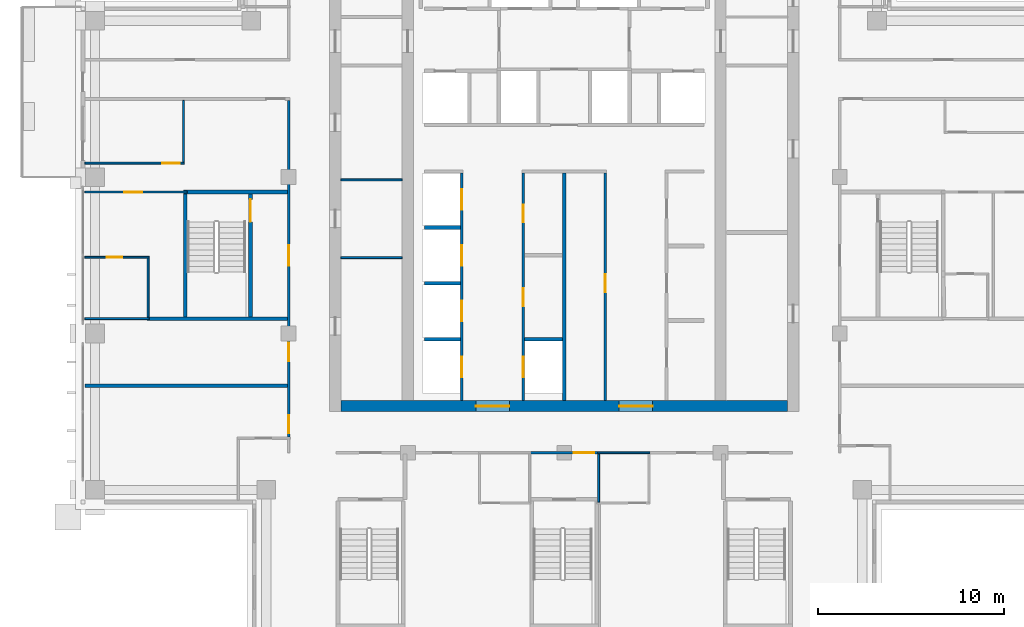
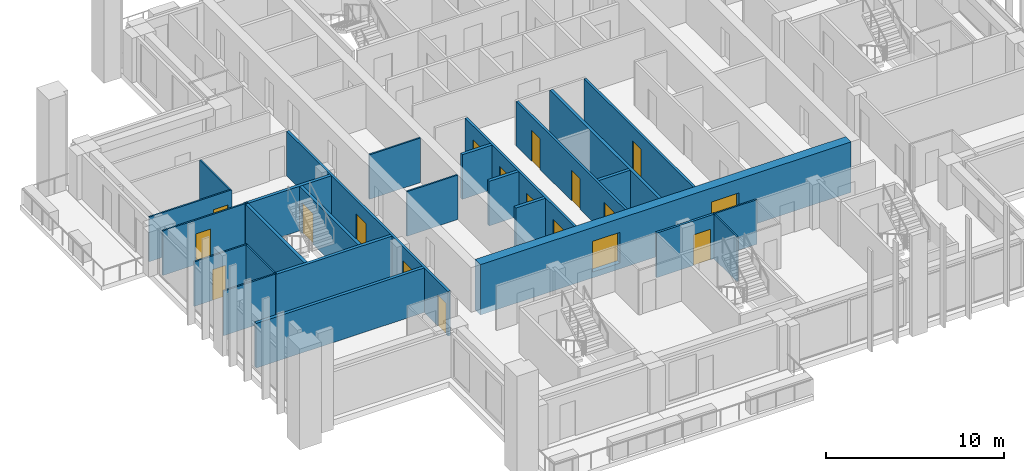
# One storey, part 7 of 16: 26 walls, 18 doors, 18 openings.
"""IFC4 building model written with IfcOpenShell, lengths in metres."""

from ifc_helpers import new_model, si_unit, direction, frame, frame_2d, origin, place, context, subcontext, project, spatial, rectangle, extrude, material, layer, layer_set, type_object, element, fill, save


model = new_model("IFC4")

# Units and contexts
model_context = context("Model", 3, precision=1e-05, world=origin(), true_north=direction((0.0, 1.0)))
body_context = subcontext(model_context, "Body", "Model", "MODEL_VIEW")
ifc_project = project(units=[si_unit("LENGTHUNIT", "METRE"), si_unit("AREAUNIT", "SQUARE_METRE"), si_unit("VOLUMEUNIT", "CUBIC_METRE"), si_unit("PLANEANGLEUNIT", "RADIAN"), si_unit("MASSUNIT", "GRAM", prefix="KILO")], contexts=[model_context])

# Site, building, storey
site_placement = place(None, origin())
site = spatial("IfcSite", under=ifc_project, at=site_placement, CompositionType="ELEMENT")
building_placement = place(site_placement, origin())
building = spatial("IfcBuilding", under=site, at=building_placement, Name="Vermilion Ogive Tower", CompositionType="ELEMENT")
storey_placement = place(building_placement, frame((0.0, 0.0, 206.60009765625)))
storey = spatial("IfcBuildingStorey", under=building, at=storey_placement, Name="L54", CompositionType="ELEMENT", Elevation=206.60009765625)

# Wall, openings, doors
ifc_material_1 = material(Name="Concrete B60", Category="concrete")
ifc_layer_1 = layer(ifc_material_1, 0.60009765625)
ifc_layer_set_1 = layer_set([ifc_layer_1], Name="Core wall 600 B60")
wall_type_1 = type_object("IfcWallType", Name="Core wall 600 B60", PredefinedType="SHEAR", material=ifc_layer_set_1)
wall_1_placement = place(storey_placement, frame((-12.0, -8.10009765625, -0.400146484375), z_axis=(0.0, 0.0, 1.0), x_axis=(1.0, 0.0, 0.0)))
wall_1 = element("IfcWall", 1, at=wall_1_placement, inside=storey, type_object=wall_type_1, Name="L54-CORE-S", PredefinedType="SHEAR", context=body_context, shape_type="SweptSolid", body=[
    extrude(rectangle(XDim=24.0, YDim=0.60009765625, at=frame_2d((12.0, 0.0))), origin(), (0.0, 0.0, 1.0), 3.449951171875),
])
opening_1_placement = place(wall_1_placement, frame((7.25, 0.0, 0.39990234375)))
opening_1 = element("IfcOpeningElement", 2, at=opening_1_placement, cuts=wall_1, Name="Opening DAH043", PredefinedType="OPENING", context=body_context, shape_type="SweptSolid", body=[
    extrude(rectangle(XDim=1.800048828125, YDim=2.10009765625, at=frame_2d((0.89990234375, 1.050048828125))), frame((0.0, 0.31005859375, 0.0), z_axis=(0.0, -1.0, 0.0), x_axis=(1.0, 0.0, 0.0)), (0.0, 0.0, 1.0), 0.6201171875),
])
opening_2_placement = place(wall_1_placement, frame((14.949951171875, 0.0, 0.39990234375)))
opening_2 = element("IfcOpeningElement", 3, at=opening_2_placement, cuts=wall_1, Name="Opening DAH044", PredefinedType="OPENING", context=body_context, shape_type="SweptSolid", body=[
    extrude(rectangle(XDim=1.800048828125, YDim=2.10009765625, at=frame_2d((0.89990234375, 1.050048828125))), frame((0.0, 0.31005859375, 0.0), z_axis=(0.0, -1.0, 0.0), x_axis=(1.0, 0.0, 0.0)), (0.0, 0.0, 1.0), 0.6201171875),
])
ifc_material_2 = material(Name="Timber door leaf", Category="wood")
door_type_1 = type_object("IfcDoorType", Name="Core entry door 1800 x 2100 FD60S", OperationType="DOUBLE_DOOR_SINGLE_SWING", PredefinedType="DOOR", material=ifc_material_2)
door_1_placement = place(opening_1_placement, origin())
door_1 = element("IfcDoor", 4, at=door_1_placement, inside=storey, type_object=door_type_1, Name="L54-CK-XD1", OperationType="SINGLE_SWING_LEFT", OverallHeight=2.10009765625, OverallWidth=1.800048828125, PredefinedType="DOOR", context=body_context, shape_type="SweptSolid", body=[
    extrude(rectangle(XDim=1.800048828125, YDim=2.10009765625, at=frame_2d((0.89990234375, 1.050048828125))), frame((0.0, 0.02490234375, 0.0), z_axis=(0.0, -1.0, 0.0), x_axis=(1.0, 0.0, 0.0)), (0.0, 0.0, 1.0), 0.050048828125),
])
fill(opening_1, door_1)
door_2_placement = place(opening_2_placement, origin())
door_2 = element("IfcDoor", 5, at=door_2_placement, inside=storey, type_object=door_type_1, Name="L54-CK-XD2", OperationType="SINGLE_SWING_LEFT", OverallHeight=2.10009765625, OverallWidth=1.800048828125, PredefinedType="DOOR", context=body_context, shape_type="SweptSolid", body=[
    extrude(rectangle(XDim=1.800048828125, YDim=2.10009765625, at=frame_2d((0.89990234375, 1.050048828125))), frame((0.0, 0.02490234375, 0.0), z_axis=(0.0, -1.0, 0.0), x_axis=(1.0, 0.0, 0.0)), (0.0, 0.0, 1.0), 0.050048828125),
])
fill(opening_2, door_2)

# Walls
ifc_material_3 = material(Name="Gypsum board partition on steel studs", Category="steel")
ifc_layer_2 = layer(ifc_material_3, 0.10009765625)
ifc_layer_set_2 = layer_set([ifc_layer_2], Name="Partition 100 bath")
wall_type_2 = type_object("IfcWallType", Name="Partition 100 bath", PredefinedType="PARTITIONING", material=ifc_layer_set_2)
wall_2_placement = place(storey_placement, frame((1.800048828125, -10.60009765625, 0.0), z_axis=(0.0, 0.0, 1.0), x_axis=(1.0, 0.0, 0.0)))
element("IfcWall", 6, at=wall_2_placement, inside=storey, type_object=wall_type_2, Name="L54-W-W010", PredefinedType="PARTITIONING", context=body_context, shape_type="SweptSolid", body=[
    extrude(rectangle(XDim=2.800048828125, YDim=0.10009765625, at=frame_2d((1.39990234375, 0.0))), origin(), (0.0, 0.0, 1.0), 3.0498046875),
])
wall_3_placement = place(storey_placement, frame((-25.75, -3.39990234375, 0.0), z_axis=(0.0, 0.0, 1.0), x_axis=(1.0, 0.0, 0.0)))
element("IfcWall", 7, at=wall_3_placement, inside=storey, type_object=wall_type_2, Name="L54-W-W016", PredefinedType="PARTITIONING", context=body_context, shape_type="SweptSolid", body=[
    extrude(rectangle(XDim=3.449951171875, YDim=0.10009765625, at=frame_2d((1.72509765625, 0.0))), origin(), (0.0, 0.0, 1.0), 3.0498046875),
])

# Wall, opening, door
wall_4_placement = place(storey_placement, frame((-25.75, -0.10009765625, 0.0), z_axis=(0.0, 0.0, 1.0), x_axis=(1.0, 0.0, 0.0)))
wall_4 = element("IfcWall", 8, at=wall_4_placement, inside=storey, type_object=wall_type_2, Name="L54-W-W022", PredefinedType="PARTITIONING", context=body_context, shape_type="SweptSolid", body=[
    extrude(rectangle(XDim=3.449951171875, YDim=0.10009765625, at=frame_2d((1.72509765625, 0.0))), origin(), (0.0, 0.0, 1.0), 3.0498046875),
])
opening_3_placement = place(wall_4_placement, frame((1.175048828125, 0.0, 0.0)))
opening_3 = element("IfcOpeningElement", 9, at=opening_3_placement, cuts=wall_4, Name="Opening D4G5006", PredefinedType="OPENING", context=body_context, shape_type="SweptSolid", body=[
    extrude(rectangle(XDim=0.85009765625, YDim=2.10009765625, at=frame_2d((0.425048828125, 1.050048828125))), frame((0.0, 0.06005859375, 0.0), z_axis=(0.0, -1.0, 0.0), x_axis=(1.0, 0.0, 0.0)), (0.0, 0.0, 1.0), 0.1201171875),
])
ifc_material_4 = material(Name="Timber door leaf", Category="wood")
door_type_2 = type_object("IfcDoorType", Name="Bath door 850 x 2100 FD30", OperationType="SINGLE_SWING_LEFT", PredefinedType="DOOR", material=ifc_material_4)
door_3_placement = place(opening_3_placement, origin())
door_3 = element("IfcDoor", 10, at=door_3_placement, inside=storey, type_object=door_type_2, Name="L54-D-D006", OperationType="SINGLE_SWING_RIGHT", OverallHeight=2.10009765625, OverallWidth=0.85009765625, PredefinedType="DOOR", context=body_context, shape_type="SweptSolid", body=[
    extrude(rectangle(XDim=0.85009765625, YDim=2.10009765625, at=frame_2d((0.425048828125, 1.050048828125))), frame((0.0, 0.02490234375, 0.0), z_axis=(0.0, -1.0, 0.0), x_axis=(1.0, 0.0, 0.0)), (0.0, 0.0, 1.0), 0.050048828125),
])
fill(opening_3, door_3)

# Walls
wall_5_placement = place(storey_placement, frame((-22.35009765625, -3.300048828125, 0.0), z_axis=(0.0, 0.0, 1.0), x_axis=(0.0, 1.0, 0.0)))
element("IfcWall", 11, at=wall_5_placement, inside=storey, type_object=wall_type_2, Name="L54-W-W039", PredefinedType="PARTITIONING", context=body_context, shape_type="SweptSolid", body=[
    extrude(rectangle(XDim=3.150146484375, YDim=0.10009765625, at=frame_2d((1.5751953125, 0.0))), origin(), (0.0, 0.0, 1.0), 3.0498046875),
])
wall_6_placement = place(storey_placement, frame((1.85009765625, -13.25, 0.0), z_axis=(0.0, 0.0, 1.0), x_axis=(0.0, 1.0, 0.0)))
element("IfcWall", 12, at=wall_6_placement, inside=storey, type_object=wall_type_2, Name="L54-W-W056", PredefinedType="PARTITIONING", context=body_context, shape_type="SweptSolid", body=[
    extrude(rectangle(XDim=2.574951171875, YDim=0.10009765625, at=frame_2d((1.28759765625, 0.0))), origin(), (0.0, 0.0, 1.0), 3.0498046875),
])
for number, where, z_axis, x_axis, name in (
    (13, (-11.9990234375, -0.125, 0.0), (0.0, 0.0, 1.0), (1.0, 0.0, 0.0), "L54-CKW-W-W001"),
    (14, (-11.9990234375, 4.053955078125, 0.0), (0.0, 0.0, 1.0), (1.0, 0.0, 0.0), "L54-CKW-W-W002"),
):
    element("IfcWall", number, at=place(storey_placement, frame(where, z_axis=z_axis, x_axis=x_axis)), inside=storey, type_object=wall_type_2, Name=name, PredefinedType="PARTITIONING", context=body_context, shape_type="SweptSolid", body=[
        extrude(rectangle(XDim=3.298095703125, YDim=0.10009765625, at=frame_2d((1.64892578125, 0.0))), origin(), (0.0, 0.0, 1.0), 3.0498046875),
    ])

# Wall, opening, door
ifc_material_5 = material(Name="Gypsum board partition on steel studs", Category="steel")
ifc_layer_3 = layer(ifc_material_5, 0.10009765625)
ifc_layer_set_3 = layer_set([ifc_layer_3], Name="Partition 100 inner")
wall_type_3 = type_object("IfcWallType", Name="Partition 100 inner", PredefinedType="PARTITIONING", material=ifc_layer_set_3)
wall_7_placement = place(storey_placement, frame((-25.75, 3.39990234375, 0.0), z_axis=(0.0, 0.0, 1.0), x_axis=(1.0, 0.0, 0.0)))
wall_7 = element("IfcWall", 15, at=wall_7_placement, inside=storey, type_object=wall_type_3, Name="L54-W-W023", PredefinedType="PARTITIONING", context=body_context, shape_type="SweptSolid", body=[
    extrude(rectangle(XDim=5.5, YDim=0.10009765625, at=frame_2d((2.75, 0.0))), origin(), (0.0, 0.0, 1.0), 3.0498046875),
])
opening_4_placement = place(wall_7_placement, frame((2.125, 0.0, 0.0)))
opening_4 = element("IfcOpeningElement", 16, at=opening_4_placement, cuts=wall_7, Name="Opening D4G5005", PredefinedType="OPENING", context=body_context, shape_type="SweptSolid", body=[
    extrude(rectangle(XDim=0.949951171875, YDim=2.10009765625, at=frame_2d((0.47509765625, 1.050048828125))), frame((0.0, 0.06005859375, 0.0), z_axis=(0.0, -1.0, 0.0), x_axis=(1.0, 0.0, 0.0)), (0.0, 0.0, 1.0), 0.1201171875),
])
ifc_material_6 = material(Name="Timber door leaf", Category="wood")
door_type_3 = type_object("IfcDoorType", Name="Inner door 950 x 2100 FD30", OperationType="SINGLE_SWING_LEFT", PredefinedType="DOOR", material=ifc_material_6)
door_4_placement = place(opening_4_placement, origin())
door_4 = element("IfcDoor", 17, at=door_4_placement, inside=storey, type_object=door_type_3, Name="L54-D-D005", OperationType="SINGLE_SWING_LEFT", OverallHeight=2.10009765625, OverallWidth=0.949951171875, PredefinedType="DOOR", context=body_context, shape_type="SweptSolid", body=[
    extrude(rectangle(XDim=0.949951171875, YDim=2.10009765625, at=frame_2d((0.47509765625, 1.050048828125))), frame((0.0, 0.02490234375, 0.0), z_axis=(0.0, -1.0, 0.0), x_axis=(1.0, 0.0, 0.0)), (0.0, 0.0, 1.0), 0.050048828125),
])
fill(opening_4, door_4)

wall_8_placement = place(storey_placement, frame((-25.75, 4.949951171875, 0.0), z_axis=(0.0, 0.0, 1.0), x_axis=(1.0, 0.0, 0.0)))
wall_8 = element("IfcWall", 18, at=wall_8_placement, inside=storey, type_object=wall_type_3, Name="L54-W-W027", PredefinedType="PARTITIONING", context=body_context, shape_type="SweptSolid", body=[
    extrude(rectangle(XDim=5.35009765625, YDim=0.10009765625, at=frame_2d((2.675048828125, 0.0))), origin(), (0.0, 0.0, 1.0), 3.0498046875),
])
opening_5_placement = place(wall_8_placement, frame((4.14990234375, 0.0, 0.0)))
opening_5 = element("IfcOpeningElement", 19, at=opening_5_placement, cuts=wall_8, Name="Opening D4G5003", PredefinedType="OPENING", context=body_context, shape_type="SweptSolid", body=[
    extrude(rectangle(XDim=0.949951171875, YDim=2.10009765625, at=frame_2d((0.47509765625, 1.050048828125))), frame((0.0, 0.06005859375, 0.0), z_axis=(0.0, -1.0, 0.0), x_axis=(1.0, 0.0, 0.0)), (0.0, 0.0, 1.0), 0.1201171875),
])
door_5_placement = place(opening_5_placement, origin())
door_5 = element("IfcDoor", 20, at=door_5_placement, inside=storey, type_object=door_type_3, Name="L54-D-D003", OperationType="SINGLE_SWING_LEFT", OverallHeight=2.10009765625, OverallWidth=0.949951171875, PredefinedType="DOOR", context=body_context, shape_type="SweptSolid", body=[
    extrude(rectangle(XDim=0.949951171875, YDim=2.10009765625, at=frame_2d((0.47509765625, 1.050048828125))), frame((0.0, 0.02490234375, 0.0), z_axis=(0.0, -1.0, 0.0), x_axis=(1.0, 0.0, 0.0)), (0.0, 0.0, 1.0), 0.050048828125),
])
fill(opening_5, door_5)

# Wall
wall_9_placement = place(storey_placement, frame((-20.449951171875, 5.0, 0.0), z_axis=(0.0, 0.0, 1.0), x_axis=(0.0, 1.0, 0.0)))
element("IfcWall", 21, at=wall_9_placement, inside=storey, type_object=wall_type_3, Name="L54-W-W040", PredefinedType="PARTITIONING", context=body_context, shape_type="SweptSolid", body=[
    extrude(rectangle(XDim=3.324951171875, YDim=0.10009765625, at=frame_2d((1.66259765625, 0.0))), origin(), (0.0, 0.0, 1.0), 3.0498046875),
])

# Wall, opening, door
ifc_material_7 = material(Name="Gypsum board partition on steel studs", Category="steel")
ifc_layer_4 = layer(ifc_material_7, 0.14990234375)
ifc_layer_set_4 = layer_set([ifc_layer_4], Name="Partition 150 corridor")
wall_type_4 = type_object("IfcWallType", Name="Partition 150 corridor", PredefinedType="PARTITIONING", material=ifc_layer_set_4)
wall_10_placement = place(storey_placement, frame((-1.89990234375, -10.60009765625, 0.0), z_axis=(0.0, 0.0, 1.0), x_axis=(1.0, 0.0, 0.0)))
wall_10 = element("IfcWall", 22, at=wall_10_placement, inside=storey, type_object=wall_type_4, Name="L54-W-W009", PredefinedType="PARTITIONING", context=body_context, shape_type="SweptSolid", body=[
    extrude(rectangle(XDim=3.7998046875, YDim=0.14990234375, at=frame_2d((1.89990234375, 0.0))), origin(), (0.0, 0.0, 1.0), 3.0498046875),
])
opening_6_placement = place(wall_10_placement, frame((2.39990234375, 0.0, 0.0)))
opening_6 = element("IfcOpeningElement", 23, at=opening_6_placement, cuts=wall_10, Name="Opening D4G5024", PredefinedType="OPENING", context=body_context, shape_type="SweptSolid", body=[
    extrude(rectangle(XDim=1.10009765625, YDim=2.10009765625, at=frame_2d((0.550048828125, 1.050048828125))), frame((0.0, 0.0849609375, 0.0), z_axis=(0.0, -1.0, 0.0), x_axis=(1.0, 0.0, 0.0)), (0.0, 0.0, 1.0), 0.169921875),
])
ifc_material_8 = material(Name="Timber door leaf", Category="wood")
door_type_4 = type_object("IfcDoorType", Name="Stair door 1100 x 2100 FD60S", OperationType="SINGLE_SWING_LEFT", PredefinedType="DOOR", material=ifc_material_8)
door_6_placement = place(opening_6_placement, origin())
door_6 = element("IfcDoor", 24, at=door_6_placement, inside=storey, type_object=door_type_4, Name="L54-D-D024", OperationType="SINGLE_SWING_LEFT", OverallHeight=2.10009765625, OverallWidth=1.10009765625, PredefinedType="DOOR", context=body_context, shape_type="SweptSolid", body=[
    extrude(rectangle(XDim=1.10009765625, YDim=2.10009765625, at=frame_2d((0.550048828125, 1.050048828125))), frame((0.0, 0.02490234375, 0.0), z_axis=(0.0, -1.0, 0.0), x_axis=(1.0, 0.0, 0.0)), (0.0, 0.0, 1.0), 0.050048828125),
])
fill(opening_6, door_6)

# Wall, openings, doors
wall_11_placement = place(storey_placement, frame((-14.800048828125, -9.77001953125, 0.0), z_axis=(0.0, 0.0, 1.0), x_axis=(0.0, 1.0, 0.0)))
wall_11 = element("IfcWall", 25, at=wall_11_placement, inside=storey, type_object=wall_type_4, Name="L54-W-W046", PredefinedType="PARTITIONING", context=body_context, shape_type="SweptSolid", body=[
    extrude(rectangle(XDim=18.094970703125, YDim=0.14990234375, at=frame_2d((9.04736328125, 0.0))), origin(), (0.0, 0.0, 1.0), 3.0498046875),
])
opening_7_placement = place(wall_11_placement, frame((0.219970703125, 0.0, 0.0)))
opening_7 = element("IfcOpeningElement", 26, at=opening_7_placement, cuts=wall_11, Name="Opening D4G5001", PredefinedType="OPENING", context=body_context, shape_type="SweptSolid", body=[
    extrude(rectangle(XDim=0.949951171875, YDim=2.10009765625, at=frame_2d((0.47509765625, 1.050048828125))), frame((0.0, 0.0849609375, 0.0), z_axis=(0.0, -1.0, 0.0), x_axis=(1.0, 0.0, 0.0)), (0.0, 0.0, 1.0), 0.169921875),
])
opening_8_placement = place(wall_11_placement, frame((9.219970703125, 0.0, 0.0)))
opening_8 = element("IfcOpeningElement", 27, at=opening_8_placement, cuts=wall_11, Name="Opening D4G5030", PredefinedType="OPENING", context=body_context, shape_type="SweptSolid", body=[
    extrude(rectangle(XDim=1.10009765625, YDim=2.10009765625, at=frame_2d((0.550048828125, 1.050048828125))), frame((0.0, 0.0849609375, 0.0), z_axis=(0.0, -1.0, 0.0), x_axis=(1.0, 0.0, 0.0)), (0.0, 0.0, 1.0), 0.169921875),
])
opening_9_placement = place(wall_11_placement, frame((4.070068359375, 0.0, 0.0)))
opening_9 = element("IfcOpeningElement", 28, at=opening_9_placement, cuts=wall_11, Name="Opening D4G5032", PredefinedType="OPENING", context=body_context, shape_type="SweptSolid", body=[
    extrude(rectangle(XDim=1.0, YDim=2.10009765625, at=frame_2d((0.5, 1.050048828125))), frame((0.0, 0.0849609375, 0.0), z_axis=(0.0, -1.0, 0.0), x_axis=(1.0, 0.0, 0.0)), (0.0, 0.0, 1.0), 0.169921875),
])
door_7_placement = place(opening_8_placement, origin())
door_7 = element("IfcDoor", 29, at=door_7_placement, inside=storey, type_object=door_type_4, Name="L54-D-D030", OperationType="SINGLE_SWING_RIGHT", OverallHeight=2.10009765625, OverallWidth=1.10009765625, PredefinedType="DOOR", context=body_context, shape_type="SweptSolid", body=[
    extrude(rectangle(XDim=1.10009765625, YDim=2.10009765625, at=frame_2d((0.550048828125, 1.050048828125))), frame((0.0, 0.02490234375, 0.0), z_axis=(0.0, -1.0, 0.0), x_axis=(1.0, 0.0, 0.0)), (0.0, 0.0, 1.0), 0.050048828125),
])
fill(opening_8, door_7)
ifc_material_9 = material(Name="Timber door leaf", Category="wood")
door_type_5 = type_object("IfcDoorType", Name="Unit door 1000 x 2100 FD30S", OperationType="SINGLE_SWING_LEFT", PredefinedType="DOOR", material=ifc_material_9)
door_8_placement = place(opening_9_placement, origin())
door_8 = element("IfcDoor", 30, at=door_8_placement, inside=storey, type_object=door_type_5, Name="L54-D-D032", OperationType="SINGLE_SWING_LEFT", OverallHeight=2.10009765625, OverallWidth=1.0, PredefinedType="DOOR", context=body_context, shape_type="SweptSolid", body=[
    extrude(rectangle(XDim=1.0, YDim=2.10009765625, at=frame_2d((0.5, 1.050048828125))), frame((0.0, 0.02490234375, 0.0), z_axis=(0.0, -1.0, 0.0), x_axis=(1.0, 0.0, 0.0)), (0.0, 0.0, 1.0), 0.050048828125),
])
fill(opening_9, door_8)
ifc_material_10 = material(Name="Timber door leaf", Category="wood")
door_type_6 = type_object("IfcDoorType", Name="Unit door 950 x 2100 FD30S", OperationType="SINGLE_SWING_LEFT", PredefinedType="DOOR", material=ifc_material_10)
door_9_placement = place(opening_7_placement, origin())
door_9 = element("IfcDoor", 31, at=door_9_placement, inside=storey, type_object=door_type_6, Name="L54-D-D001", OperationType="SINGLE_SWING_LEFT", OverallHeight=2.10009765625, OverallWidth=0.949951171875, PredefinedType="DOOR", context=body_context, shape_type="SweptSolid", body=[
    extrude(rectangle(XDim=0.949951171875, YDim=2.10009765625, at=frame_2d((0.47509765625, 1.050048828125))), frame((0.0, 0.02490234375, 0.0), z_axis=(0.0, -1.0, 0.0), x_axis=(1.0, 0.0, 0.0)), (0.0, 0.0, 1.0), 0.050048828125),
])
fill(opening_7, door_9)

wall_12_placement = place(storey_placement, frame((-5.5, -7.799072265625, 0.0), z_axis=(0.0, 0.0, 1.0), x_axis=(0.0, 1.0, 0.0)))
wall_12 = element("IfcWall", 32, at=wall_12_placement, inside=storey, type_object=wall_type_4, Name="L54-CK-W-W020", PredefinedType="PARTITIONING", context=body_context, shape_type="SweptSolid", body=[
    extrude(rectangle(XDim=12.22412109375, YDim=0.14990234375, at=frame_2d((6.112060546875, 0.0))), origin(), (0.0, 0.0, 1.0), 3.0498046875),
])
opening_10_placement = place(wall_12_placement, frame((1.2490234375, 0.0, 0.0)))
opening_10 = element("IfcOpeningElement", 33, at=opening_10_placement, cuts=wall_12, Name="Opening DAA505", PredefinedType="OPENING", context=body_context, shape_type="SweptSolid", body=[
    extrude(rectangle(XDim=1.10009765625, YDim=2.10009765625, at=frame_2d((0.550048828125, 1.050048828125))), frame((0.0, 0.0849609375, 0.0), z_axis=(0.0, -1.0, 0.0), x_axis=(1.0, 0.0, 0.0)), (0.0, 0.0, 1.0), 0.169921875),
])
opening_11_placement = place(wall_12_placement, frame((4.2490234375, 0.0, 0.0)))
opening_11 = element("IfcOpeningElement", 34, at=opening_11_placement, cuts=wall_12, Name="Opening DAA506", PredefinedType="OPENING", context=body_context, shape_type="SweptSolid", body=[
    extrude(rectangle(XDim=1.10009765625, YDim=2.10009765625, at=frame_2d((0.550048828125, 1.050048828125))), frame((0.0, 0.0849609375, 0.0), z_axis=(0.0, -1.0, 0.0), x_axis=(1.0, 0.0, 0.0)), (0.0, 0.0, 1.0), 0.169921875),
])
opening_12_placement = place(wall_12_placement, frame((7.2490234375, 0.0, 0.0)))
opening_12 = element("IfcOpeningElement", 35, at=opening_12_placement, cuts=wall_12, Name="Opening DAA507", PredefinedType="OPENING", context=body_context, shape_type="SweptSolid", body=[
    extrude(rectangle(XDim=1.10009765625, YDim=2.10009765625, at=frame_2d((0.550048828125, 1.050048828125))), frame((0.0, 0.0849609375, 0.0), z_axis=(0.0, -1.0, 0.0), x_axis=(1.0, 0.0, 0.0)), (0.0, 0.0, 1.0), 0.169921875),
])
opening_13_placement = place(wall_12_placement, frame((10.2490234375, 0.0, 0.0)))
opening_13 = element("IfcOpeningElement", 36, at=opening_13_placement, cuts=wall_12, Name="Opening DAA508", PredefinedType="OPENING", context=body_context, shape_type="SweptSolid", body=[
    extrude(rectangle(XDim=1.10009765625, YDim=2.10009765625, at=frame_2d((0.550048828125, 1.050048828125))), frame((0.0, 0.0849609375, 0.0), z_axis=(0.0, -1.0, 0.0), x_axis=(1.0, 0.0, 0.0)), (0.0, 0.0, 1.0), 0.169921875),
])
ifc_material_11 = material(Name="Stainless steel", Category="steel")
door_type_7 = type_object("IfcDoorType", Name="Lift landing door 1100 x 2100", OperationType="SLIDING_TO_LEFT", PredefinedType="DOOR", material=ifc_material_11)
door_10_placement = place(opening_10_placement, origin())
door_10 = element("IfcDoor", 37, at=door_10_placement, inside=storey, type_object=door_type_7, Name="L54-CK-D-D001", OperationType="SLIDING_TO_LEFT", OverallHeight=2.10009765625, OverallWidth=1.10009765625, PredefinedType="DOOR", context=body_context, shape_type="SweptSolid", body=[
    extrude(rectangle(XDim=1.10009765625, YDim=2.10009765625, at=frame_2d((0.550048828125, 1.050048828125))), frame((0.0, 0.02490234375, 0.0), z_axis=(0.0, -1.0, 0.0), x_axis=(1.0, 0.0, 0.0)), (0.0, 0.0, 1.0), 0.050048828125),
])
fill(opening_10, door_10)
door_11_placement = place(opening_11_placement, origin())
door_11 = element("IfcDoor", 38, at=door_11_placement, inside=storey, type_object=door_type_7, Name="L54-CK-D-D002", OperationType="SLIDING_TO_LEFT", OverallHeight=2.10009765625, OverallWidth=1.10009765625, PredefinedType="DOOR", context=body_context, shape_type="SweptSolid", body=[
    extrude(rectangle(XDim=1.10009765625, YDim=2.10009765625, at=frame_2d((0.550048828125, 1.050048828125))), frame((0.0, 0.02490234375, 0.0), z_axis=(0.0, -1.0, 0.0), x_axis=(1.0, 0.0, 0.0)), (0.0, 0.0, 1.0), 0.050048828125),
])
fill(opening_11, door_11)
door_12_placement = place(opening_12_placement, origin())
door_12 = element("IfcDoor", 39, at=door_12_placement, inside=storey, type_object=door_type_7, Name="L54-CK-D-D003", OperationType="SLIDING_TO_LEFT", OverallHeight=2.10009765625, OverallWidth=1.10009765625, PredefinedType="DOOR", context=body_context, shape_type="SweptSolid", body=[
    extrude(rectangle(XDim=1.10009765625, YDim=2.10009765625, at=frame_2d((0.550048828125, 1.050048828125))), frame((0.0, 0.02490234375, 0.0), z_axis=(0.0, -1.0, 0.0), x_axis=(1.0, 0.0, 0.0)), (0.0, 0.0, 1.0), 0.050048828125),
])
fill(opening_12, door_12)
door_13_placement = place(opening_13_placement, origin())
door_13 = element("IfcDoor", 40, at=door_13_placement, inside=storey, type_object=door_type_7, Name="L54-CK-D-D004", OperationType="SLIDING_TO_LEFT", OverallHeight=2.10009765625, OverallWidth=1.10009765625, PredefinedType="DOOR", context=body_context, shape_type="SweptSolid", body=[
    extrude(rectangle(XDim=1.10009765625, YDim=2.10009765625, at=frame_2d((0.550048828125, 1.050048828125))), frame((0.0, 0.02490234375, 0.0), z_axis=(0.0, -1.0, 0.0), x_axis=(1.0, 0.0, 0.0)), (0.0, 0.0, 1.0), 0.050048828125),
])
fill(opening_13, door_13)

wall_13_placement = place(storey_placement, frame((-2.199951171875, -7.799072265625, 0.0), z_axis=(0.0, 0.0, 1.0), x_axis=(0.0, 1.0, 0.0)))
wall_13 = element("IfcWall", 41, at=wall_13_placement, inside=storey, type_object=wall_type_4, Name="L54-CK-W-W025", PredefinedType="PARTITIONING", context=body_context, shape_type="SweptSolid", body=[
    extrude(rectangle(XDim=12.22412109375, YDim=0.14990234375, at=frame_2d((6.112060546875, 0.0))), origin(), (0.0, 0.0, 1.0), 3.0498046875),
])
opening_14_placement = place(wall_13_placement, frame((1.2490234375, 0.0, 0.0)))
opening_14 = element("IfcOpeningElement", 42, at=opening_14_placement, cuts=wall_13, Name="Opening DAA509", PredefinedType="OPENING", context=body_context, shape_type="SweptSolid", body=[
    extrude(rectangle(XDim=1.10009765625, YDim=2.10009765625, at=frame_2d((0.550048828125, 1.050048828125))), frame((0.0, 0.0849609375, 0.0), z_axis=(0.0, -1.0, 0.0), x_axis=(1.0, 0.0, 0.0)), (0.0, 0.0, 1.0), 0.169921875),
])
opening_15_placement = place(wall_13_placement, frame((5.073974609375, 0.0, 0.0)))
opening_15 = element("IfcOpeningElement", 43, at=opening_15_placement, cuts=wall_13, Name="Opening DAA495", PredefinedType="OPENING", context=body_context, shape_type="SweptSolid", body=[
    extrude(rectangle(XDim=0.949951171875, YDim=2.10009765625, at=frame_2d((0.47509765625, 1.050048828125))), frame((0.0, 0.0849609375, 0.0), z_axis=(0.0, -1.0, 0.0), x_axis=(1.0, 0.0, 0.0)), (0.0, 0.0, 1.0), 0.169921875),
])
opening_16_placement = place(wall_13_placement, frame((9.573974609375, 0.0, 0.0)))
opening_16 = element("IfcOpeningElement", 44, at=opening_16_placement, cuts=wall_13, Name="Opening DAA496", PredefinedType="OPENING", context=body_context, shape_type="SweptSolid", body=[
    extrude(rectangle(XDim=0.949951171875, YDim=2.10009765625, at=frame_2d((0.47509765625, 1.050048828125))), frame((0.0, 0.0849609375, 0.0), z_axis=(0.0, -1.0, 0.0), x_axis=(1.0, 0.0, 0.0)), (0.0, 0.0, 1.0), 0.169921875),
])
door_14_placement = place(opening_14_placement, origin())
door_14 = element("IfcDoor", 45, at=door_14_placement, inside=storey, type_object=door_type_7, Name="L54-CK-D-D005", OperationType="SLIDING_TO_LEFT", OverallHeight=2.10009765625, OverallWidth=1.10009765625, PredefinedType="DOOR", context=body_context, shape_type="SweptSolid", body=[
    extrude(rectangle(XDim=1.10009765625, YDim=2.10009765625, at=frame_2d((0.550048828125, 1.050048828125))), frame((0.0, 0.02490234375, 0.0), z_axis=(0.0, -1.0, 0.0), x_axis=(1.0, 0.0, 0.0)), (0.0, 0.0, 1.0), 0.050048828125),
])
fill(opening_14, door_14)
ifc_material_12 = material(Name="Timber door leaf", Category="wood")
door_type_8 = type_object("IfcDoorType", Name="Service door 950 x 2100 FD60", OperationType="SINGLE_SWING_LEFT", PredefinedType="DOOR", material=ifc_material_12)
door_15_placement = place(opening_15_placement, origin())
door_15 = element("IfcDoor", 46, at=door_15_placement, inside=storey, type_object=door_type_8, Name="L54-CK-D-D006", OperationType="SINGLE_SWING_LEFT", OverallHeight=2.10009765625, OverallWidth=0.949951171875, PredefinedType="DOOR", context=body_context, shape_type="SweptSolid", body=[
    extrude(rectangle(XDim=0.949951171875, YDim=2.10009765625, at=frame_2d((0.47509765625, 1.050048828125))), frame((0.0, 0.02490234375, 0.0), z_axis=(0.0, -1.0, 0.0), x_axis=(1.0, 0.0, 0.0)), (0.0, 0.0, 1.0), 0.050048828125),
])
fill(opening_15, door_15)
door_16_placement = place(opening_16_placement, origin())
door_16 = element("IfcDoor", 47, at=door_16_placement, inside=storey, type_object=door_type_8, Name="L54-CK-D-D007", OperationType="SINGLE_SWING_RIGHT", OverallHeight=2.10009765625, OverallWidth=0.949951171875, PredefinedType="DOOR", context=body_context, shape_type="SweptSolid", body=[
    extrude(rectangle(XDim=0.949951171875, YDim=2.10009765625, at=frame_2d((0.47509765625, 1.050048828125))), frame((0.0, 0.02490234375, 0.0), z_axis=(0.0, -1.0, 0.0), x_axis=(1.0, 0.0, 0.0)), (0.0, 0.0, 1.0), 0.050048828125),
])
fill(opening_16, door_16)

# Wall, opening, door
wall_14_placement = place(storey_placement, frame((2.199951171875, -7.799072265625, 0.0), z_axis=(0.0, 0.0, 1.0), x_axis=(0.0, 1.0, 0.0)))
wall_14 = element("IfcWall", 48, at=wall_14_placement, inside=storey, type_object=wall_type_4, Name="L54-CK-W-W032", PredefinedType="PARTITIONING", context=body_context, shape_type="SweptSolid", body=[
    extrude(rectangle(XDim=12.22412109375, YDim=0.14990234375, at=frame_2d((6.112060546875, 0.0))), origin(), (0.0, 0.0, 1.0), 3.0498046875),
])
opening_17_placement = place(wall_14_placement, frame((5.823974609375, 0.0, 0.0)))
opening_17 = element("IfcOpeningElement", 49, at=opening_17_placement, cuts=wall_14, Name="Opening DAA497", PredefinedType="OPENING", context=body_context, shape_type="SweptSolid", body=[
    extrude(rectangle(XDim=0.949951171875, YDim=2.10009765625, at=frame_2d((0.47509765625, 1.050048828125))), frame((0.0, 0.0849609375, 0.0), z_axis=(0.0, -1.0, 0.0), x_axis=(1.0, 0.0, 0.0)), (0.0, 0.0, 1.0), 0.169921875),
])
door_17_placement = place(opening_17_placement, origin())
door_17 = element("IfcDoor", 50, at=door_17_placement, inside=storey, type_object=door_type_8, Name="L54-CK-D-D008", OperationType="SINGLE_SWING_RIGHT", OverallHeight=2.10009765625, OverallWidth=0.949951171875, PredefinedType="DOOR", context=body_context, shape_type="SweptSolid", body=[
    extrude(rectangle(XDim=0.949951171875, YDim=2.10009765625, at=frame_2d((0.47509765625, 1.050048828125))), frame((0.0, 0.02490234375, 0.0), z_axis=(0.0, -1.0, 0.0), x_axis=(1.0, 0.0, 0.0)), (0.0, 0.0, 1.0), 0.050048828125),
])
fill(opening_17, door_17)

# Walls
ifc_material_13 = material(Name="Gypsum board partition on steel studs", Category="steel")
ifc_layer_5 = layer(ifc_material_13, 0.199951171875)
ifc_layer_set_5 = layer_set([ifc_layer_5], Name="Partition 200 party")
wall_type_5 = type_object("IfcWallType", Name="Partition 200 party", PredefinedType="PARTITIONING", material=ifc_layer_set_5)
wall_15_placement = place(storey_placement, frame((-25.75, -7.0, 0.0), z_axis=(0.0, 0.0, 1.0), x_axis=(1.0, 0.0, 0.0)))
element("IfcWall", 51, at=wall_15_placement, inside=storey, type_object=wall_type_5, Name="L54-W-W014", PredefinedType="PARTITIONING", context=body_context, shape_type="SweptSolid", body=[
    extrude(rectangle(XDim=10.875, YDim=0.199951171875, at=frame_2d((5.4375, 0.0))), origin(), (0.0, 0.0, 1.0), 3.0498046875),
])
wall_16_placement = place(storey_placement, frame((-7.5, -4.5, 0.0), z_axis=(0.0, 0.0, 1.0), x_axis=(1.0, 0.0, 0.0)))
element("IfcWall", 52, at=wall_16_placement, inside=storey, type_object=wall_type_5, Name="L54-CK-W-W001", PredefinedType="PARTITIONING", context=body_context, shape_type="SweptSolid", body=[
    extrude(rectangle(XDim=1.925048828125, YDim=0.199951171875, at=frame_2d((0.96240234375, 0.0))), origin(), (0.0, 0.0, 1.0), 3.0498046875),
])
wall_17_placement = place(storey_placement, frame((-2.125, -4.5, 0.0), z_axis=(0.0, 0.0, 1.0), x_axis=(1.0, 0.0, 0.0)))
element("IfcWall", 53, at=wall_17_placement, inside=storey, type_object=wall_type_5, Name="L54-CK-W-W002", PredefinedType="PARTITIONING", context=body_context, shape_type="SweptSolid", body=[
    extrude(rectangle(XDim=2.02490234375, YDim=0.199951171875, at=frame_2d((1.012451171875, 0.0))), origin(), (0.0, 0.0, 1.0), 3.0498046875),
])
for number, where, z_axis, x_axis, name in (
    (54, (-7.5, -1.5, 0.0), (0.0, 0.0, 1.0), (1.0, 0.0, 0.0), "L54-CK-W-W004"),
    (55, (-7.5, 1.5, 0.0), (0.0, 0.0, 1.0), (1.0, 0.0, 0.0), "L54-CK-W-W007"),
):
    element("IfcWall", number, at=place(storey_placement, frame(where, z_axis=z_axis, x_axis=x_axis)), inside=storey, type_object=wall_type_5, Name=name, PredefinedType="PARTITIONING", context=body_context, shape_type="SweptSolid", body=[
        extrude(rectangle(XDim=1.925048828125, YDim=0.199951171875, at=frame_2d((0.96240234375, 0.0))), origin(), (0.0, 0.0, 1.0), 3.0498046875),
    ])
wall_18_placement = place(storey_placement, frame((0.0, -7.799072265625, 0.0), z_axis=(0.0, 0.0, 1.0), x_axis=(0.0, 1.0, 0.0)))
element("IfcWall", 56, at=wall_18_placement, inside=storey, type_object=wall_type_5, Name="L54-CK-W-W028", PredefinedType="PARTITIONING", context=body_context, shape_type="SweptSolid", body=[
    extrude(rectangle(XDim=12.22412109375, YDim=0.199951171875, at=frame_2d((6.112060546875, 0.0))), origin(), (0.0, 0.0, 1.0), 3.0498046875),
])
ifc_material_14 = material(Name="Concrete B60", Category="concrete")
ifc_layer_6 = layer(ifc_material_14, 0.199951171875)
ifc_layer_set_6 = layer_set([ifc_layer_6], Name="Stair shaft wall 200 Concrete B60")
wall_type_6 = type_object("IfcWallType", Name="Stair shaft wall 200 Concrete B60", PredefinedType="SOLIDWALL", material=ifc_layer_set_6)
wall_19_placement = place(storey_placement, frame((-22.39990234375, -3.39990234375, 0.0), z_axis=(0.0, 0.0, 1.0), x_axis=(1.0, 0.0, 0.0)))
element("IfcWall", 57, at=wall_19_placement, inside=storey, type_object=wall_type_6, Name="L54-W-W017", PredefinedType="SOLIDWALL", context=body_context, shape_type="SweptSolid", body=[
    extrude(rectangle(XDim=7.52490234375, YDim=0.199951171875, at=frame_2d((3.762451171875, 0.0))), origin(), (0.0, 0.0, 1.0), 3.0498046875),
])
wall_20_placement = place(storey_placement, frame((-20.449951171875, 3.39990234375, 0.0), z_axis=(0.0, 0.0, 1.0), x_axis=(1.0, 0.0, 0.0)))
element("IfcWall", 58, at=wall_20_placement, inside=storey, type_object=wall_type_6, Name="L54-W-W024", PredefinedType="SOLIDWALL", context=body_context, shape_type="SweptSolid", body=[
    extrude(rectangle(XDim=5.574951171875, YDim=0.199951171875, at=frame_2d((2.78759765625, 0.0))), origin(), (0.0, 0.0, 1.0), 3.0498046875),
])
wall_21_placement = place(storey_placement, frame((-20.35009765625, -3.300048828125, 0.0), z_axis=(0.0, 0.0, 1.0), x_axis=(0.0, 1.0, 0.0)))
element("IfcWall", 59, at=wall_21_placement, inside=storey, type_object=wall_type_6, Name="L54-W-W041", PredefinedType="SOLIDWALL", context=body_context, shape_type="SweptSolid", body=[
    extrude(rectangle(XDim=6.60009765625, YDim=0.199951171875, at=frame_2d((3.300048828125, 0.0))), origin(), (0.0, 0.0, 1.0), 3.0498046875),
])

# Wall, opening, door
wall_22_placement = place(storey_placement, frame((-16.85009765625, -3.300048828125, 0.0), z_axis=(0.0, 0.0, 1.0), x_axis=(0.0, 1.0, 0.0)))
wall_22 = element("IfcWall", 60, at=wall_22_placement, inside=storey, type_object=wall_type_6, Name="L54-W-W044", PredefinedType="SOLIDWALL", context=body_context, shape_type="SweptSolid", body=[
    extrude(rectangle(XDim=6.60009765625, YDim=0.199951171875, at=frame_2d((3.300048828125, 0.0))), origin(), (0.0, 0.0, 1.0), 3.0498046875),
])
opening_18_placement = place(wall_22_placement, frame((5.10009765625, 0.0, 0.0)))
opening_18 = element("IfcOpeningElement", 61, at=opening_18_placement, cuts=wall_22, Name="Opening D4G5031", PredefinedType="OPENING", context=body_context, shape_type="SweptSolid", body=[
    extrude(rectangle(XDim=1.199951171875, YDim=2.10009765625, at=frame_2d((0.60009765625, 1.050048828125))), frame((0.0, 0.10986328125, 0.0), z_axis=(0.0, -1.0, 0.0), x_axis=(1.0, 0.0, 0.0)), (0.0, 0.0, 1.0), 0.219970703125),
])
ifc_material_15 = material(Name="Timber door leaf", Category="wood")
door_type_9 = type_object("IfcDoorType", Name="Stair door 1200 x 2100 FD60S", OperationType="SINGLE_SWING_LEFT", PredefinedType="DOOR", material=ifc_material_15)
door_18_placement = place(opening_18_placement, origin())
door_18 = element("IfcDoor", 62, at=door_18_placement, inside=storey, type_object=door_type_9, Name="L54-D-D031", OperationType="SINGLE_SWING_RIGHT", OverallHeight=2.10009765625, OverallWidth=1.199951171875, PredefinedType="DOOR", context=body_context, shape_type="SweptSolid", body=[
    extrude(rectangle(XDim=1.199951171875, YDim=2.10009765625, at=frame_2d((0.60009765625, 1.050048828125))), frame((0.0, 0.02490234375, 0.0), z_axis=(0.0, -1.0, 0.0), x_axis=(1.0, 0.0, 0.0)), (0.0, 0.0, 1.0), 0.050048828125),
])
fill(opening_18, door_18)

save(model, "model.ifc")
